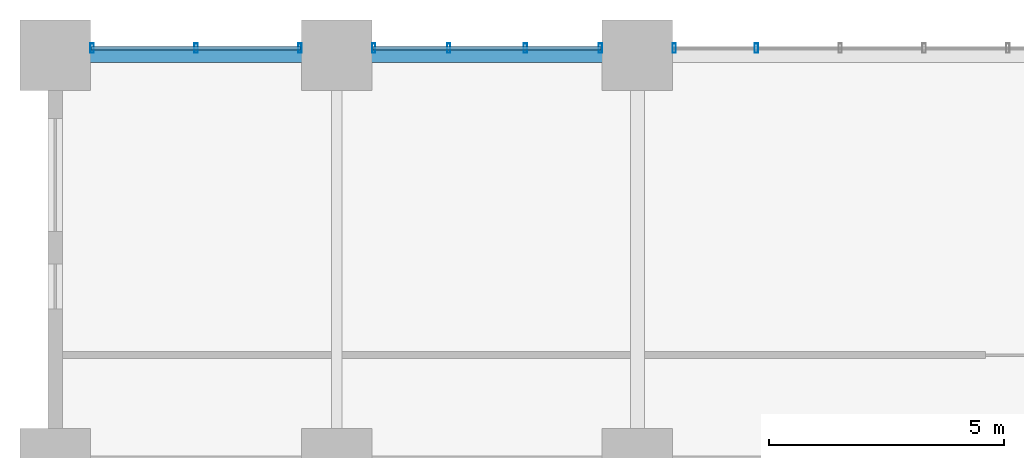
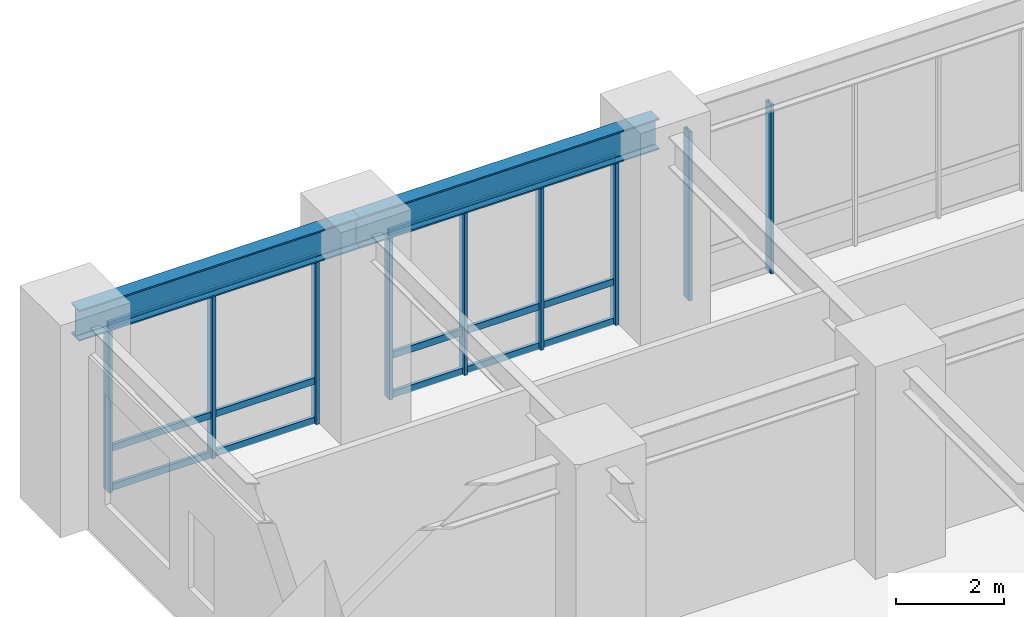
# One storey, part 2 of 22: 15 members, 2 beams, 3 elements without a shape of their own.
"""IFC4 building model written with IfcOpenShell, lengths in metres."""

from ifc_helpers import new_model, si_unit, direction, frame, origin, origin_2d, place, context, subcontext, project, spatial, hollow_rectangle, i_section, extrude, source, transform, mapped, material, layer, layer_set, material_profile, profile_set, type_object, element, aggregate, save


model = new_model("IFC4")

# Units and contexts
model_context = context("Model", 3, precision=1e-05, world=origin(), true_north=direction((0.0, 1.0)))
body_context = subcontext(model_context, "Body", "Model", "MODEL_VIEW")
ifc_project = project(units=[si_unit("LENGTHUNIT", "METRE"), si_unit("AREAUNIT", "SQUARE_METRE"), si_unit("VOLUMEUNIT", "CUBIC_METRE"), si_unit("PLANEANGLEUNIT", "RADIAN"), si_unit("MASSUNIT", "GRAM", prefix="KILO")], contexts=[model_context])

# Site, building, storey
site_placement = place(None, origin())
site = spatial("IfcSite", under=ifc_project, at=site_placement, CompositionType="ELEMENT")
building_placement = place(site_placement, origin())
building = spatial("IfcBuilding", under=site, at=building_placement, Name="Kaliganga Portal Commons", CompositionType="ELEMENT")
storey_placement = place(building_placement, frame((0.0, 0.0, 10.199951171875)))
storey = spatial("IfcBuildingStorey", under=building, at=storey_placement, Name="L02", CompositionType="ELEMENT", Elevation=10.199951171875)

# Beams
ifc_material_1 = material(Name="Structural steel S355J2", Category="steel")
ifc_material_profile_1 = material_profile(ifc_material_1, i_section(OverallWidth=0.300048828125, OverallDepth=0.699951171875, WebThickness=0.01708984375, FlangeThickness=0.031982421875, FilletRadius=0.027099609375, at=origin_2d()), Name="HE 700 B")
ifc_profile_set_1 = profile_set([ifc_material_profile_1], Name="Structural steel S355J2 wide-flange")
beam_type = type_object("IfcBeamType", Name="BM-GIRD-700", PredefinedType="USERDEFINED", material=ifc_profile_set_1)
shared_shape_1 = source(origin(), body_context, "Body", "SweptSolid", [
    extrude(i_section(OverallWidth=0.300048828125, OverallDepth=0.699951171875, WebThickness=0.01708984375, FlangeThickness=0.031982421875, FilletRadius=0.027099609375, at=origin_2d()), origin(), (0.0, 0.0, 1.0), 6.0),
])
beam_1_placement = place(storey_placement, frame((-12.0, 44.85009765625, 4.170166015625), z_axis=(1.0, 0.0, 0.0), x_axis=(0.0, 1.0, 0.0)))
element("IfcBeam", 1, at=beam_1_placement, inside=storey, type_object=beam_type, Name="BM PODW L02 Y44 1", ObjectType="GIRDER", PredefinedType="USERDEFINED", context=body_context, shape_type="MappedRepresentation", body=[
    mapped(shared_shape_1, transform((0.0, 0.0, 0.0), x_axis=(1.0, 0.0, 0.0), y_axis=(0.0, 1.0, 0.0), z_axis=(0.0, 0.0, 1.0), scale=1.0)),
])
shared_shape_2 = source(origin(), body_context, "Body", "SweptSolid", [
    extrude(i_section(OverallWidth=0.300048828125, OverallDepth=0.699951171875, WebThickness=0.01708984375, FlangeThickness=0.031982421875, FilletRadius=0.027099609375, at=origin_2d()), origin(), (0.0, 0.0, 1.0), 6.39990234375),
])
beam_2_placement = place(storey_placement, frame((-6.0, 44.85009765625, 4.170166015625), z_axis=(1.0, 0.0, 0.0), x_axis=(0.0, 1.0, 0.0)))
element("IfcBeam", 2, at=beam_2_placement, inside=storey, type_object=beam_type, Name="BM PODW L02 Y44 2", ObjectType="GIRDER", PredefinedType="USERDEFINED", context=body_context, shape_type="MappedRepresentation", body=[
    mapped(shared_shape_2, transform((0.0, 0.0, 0.0), x_axis=(1.0, 0.0, 0.0), y_axis=(0.0, 1.0, 0.0), z_axis=(0.0, 0.0, 1.0), scale=1.0)),
])

# Curtain wall, members
ifc_material_2 = material(Name="Anodized Aluminium and Laminated Low-E Glass", Category="aluminium")
ifc_layer = layer(ifc_material_2, 0.219970703125)
ifc_layer_set = layer_set([ifc_layer], Name="Anodized Aluminium and Laminated Low-E Glass")
curtain_wall_type = type_object("IfcCurtainWallType", Name="CW-SYS-01", PredefinedType="NOTDEFINED", material=ifc_layer_set)
curtain_wall_1_placement = place(storey_placement, origin())
curtain_wall_1 = element("IfcCurtainWall", 3, at=curtain_wall_1_placement, inside=storey, type_object=curtain_wall_type, Name="CW 01 L02 P1E02S9", PredefinedType="NOTDEFINED")
ifc_material_3 = material(Name="Dark Bronze Anodized Aluminium", Category="aluminium")
ifc_material_profile_2 = material_profile(ifc_material_3, hollow_rectangle(XDim=0.070068359375, YDim=0.14990234375, WallThickness=0.00341796875, at=origin_2d()), Name="ALU TRAN 70x150x3.5")
ifc_profile_set_2 = profile_set([ifc_material_profile_2], Name="Dark Bronze Anodized Aluminium")
member_type_1 = type_object("IfcMemberType", Name="CW-TRN-150", PredefinedType="USERDEFINED", material=ifc_profile_set_2)
shared_shape_3 = source(origin(), body_context, "Body", "SweptSolid", [
    extrude(hollow_rectangle(XDim=0.070068359375, YDim=0.14990234375, WallThickness=0.00341796875, at=origin_2d()), origin(), (0.0, 0.0, 1.0), 4.4580078125),
])
member_1_placement = place(storey_placement, frame((-6.77099609375, 45.0, 0.06005859375), z_axis=(-1.0, 0.0, 0.0), x_axis=(0.0, -1.0, 0.0)))
member_1 = element("IfcMember", 4, at=member_1_placement, type_object=member_type_1, Name="CW:01:L02:P1E02S9 Transom 1", ObjectType="TRANSOM", PredefinedType="USERDEFINED", context=body_context, shape_type="MappedRepresentation", body=[
    mapped(shared_shape_3, transform((0.0, 0.0, 0.0), x_axis=(1.0, 0.0, 0.0), y_axis=(0.0, 1.0, 0.0), z_axis=(0.0, 0.0, 1.0), scale=1.0)),
])
member_2_placement = place(storey_placement, frame((-6.77099609375, 45.0, 0.949951171875), z_axis=(-1.0, 0.0, 0.0), x_axis=(0.0, -1.0, 0.0)))
member_2 = element("IfcMember", 5, at=member_2_placement, type_object=member_type_1, Name="CW:01:L02:P1E02S9 Transom 2", ObjectType="TRANSOM", PredefinedType="USERDEFINED", context=body_context, shape_type="MappedRepresentation", body=[
    mapped(shared_shape_3, transform((0.0, 0.0, 0.0), x_axis=(1.0, 0.0, 0.0), y_axis=(0.0, 1.0, 0.0), z_axis=(0.0, 0.0, 1.0), scale=1.0)),
])
member_3_placement = place(storey_placement, frame((-6.77099609375, 45.0, 3.739990234375), z_axis=(-1.0, 0.0, 0.0), x_axis=(0.0, -1.0, 0.0)))
member_3 = element("IfcMember", 6, at=member_3_placement, type_object=member_type_1, Name="CW:01:L02:P1E02S9 Transom 3", ObjectType="TRANSOM", PredefinedType="USERDEFINED", context=body_context, shape_type="MappedRepresentation", body=[
    mapped(shared_shape_3, transform((0.0, 0.0, 0.0), x_axis=(1.0, 0.0, 0.0), y_axis=(0.0, 1.0, 0.0), z_axis=(0.0, 0.0, 1.0), scale=1.0)),
])

curtain_wall_2_placement = place(storey_placement, origin())
curtain_wall_2 = element("IfcCurtainWall", 7, at=curtain_wall_2_placement, inside=storey, type_object=curtain_wall_type, Name="CW 01 L02 P1E02S8", PredefinedType="NOTDEFINED")
shared_shape_4 = source(origin(), body_context, "Body", "SweptSolid", [
    extrude(hollow_rectangle(XDim=0.070068359375, YDim=0.14990234375, WallThickness=0.00341796875, at=origin_2d()), origin(), (0.0, 0.0, 1.0), 4.85791015625),
])
member_4_placement = place(storey_placement, frame((-0.37109375, 45.0, 0.06005859375), z_axis=(-1.0, 0.0, 0.0), x_axis=(0.0, -1.0, 0.0)))
member_4 = element("IfcMember", 8, at=member_4_placement, type_object=member_type_1, Name="CW:01:L02:P1E02S8 Transom 1", ObjectType="TRANSOM", PredefinedType="USERDEFINED", context=body_context, shape_type="MappedRepresentation", body=[
    mapped(shared_shape_4, transform((0.0, 0.0, 0.0), x_axis=(1.0, 0.0, 0.0), y_axis=(0.0, 1.0, 0.0), z_axis=(0.0, 0.0, 1.0), scale=1.0)),
])
member_5_placement = place(storey_placement, frame((-0.37109375, 45.0, 0.949951171875), z_axis=(-1.0, 0.0, 0.0), x_axis=(0.0, -1.0, 0.0)))
member_5 = element("IfcMember", 9, at=member_5_placement, type_object=member_type_1, Name="CW:01:L02:P1E02S8 Transom 2", ObjectType="TRANSOM", PredefinedType="USERDEFINED", context=body_context, shape_type="MappedRepresentation", body=[
    mapped(shared_shape_4, transform((0.0, 0.0, 0.0), x_axis=(1.0, 0.0, 0.0), y_axis=(0.0, 1.0, 0.0), z_axis=(0.0, 0.0, 1.0), scale=1.0)),
])
member_6_placement = place(storey_placement, frame((-0.37109375, 45.0, 3.739990234375), z_axis=(-1.0, 0.0, 0.0), x_axis=(0.0, -1.0, 0.0)))
member_6 = element("IfcMember", 10, at=member_6_placement, type_object=member_type_1, Name="CW:01:L02:P1E02S8 Transom 3", ObjectType="TRANSOM", PredefinedType="USERDEFINED", context=body_context, shape_type="MappedRepresentation", body=[
    mapped(shared_shape_4, transform((0.0, 0.0, 0.0), x_axis=(1.0, 0.0, 0.0), y_axis=(0.0, 1.0, 0.0), z_axis=(0.0, 0.0, 1.0), scale=1.0)),
])

curtain_wall_3_placement = place(storey_placement, origin())
curtain_wall_3 = element("IfcCurtainWall", 11, at=curtain_wall_3_placement, inside=storey, type_object=curtain_wall_type, Name="CW 01 L02 P1E02S7", PredefinedType="NOTDEFINED")
ifc_material_profile_3 = material_profile(ifc_material_3, hollow_rectangle(XDim=0.070068359375, YDim=0.199951171875, WallThickness=0.00390625, at=origin_2d()), Name="ALU MULL 70x200x4")
ifc_profile_set_3 = profile_set([ifc_material_profile_3], Name="Dark Bronze Anodized Aluminium")
member_type_2 = type_object("IfcMemberType", Name="CW-MUL-220", PredefinedType="MULLION", material=ifc_profile_set_3)
shared_shape_5 = source(origin(), body_context, "Body", "SweptSolid", [
    extrude(hollow_rectangle(XDim=0.070068359375, YDim=0.199951171875, WallThickness=0.00390625, at=origin_2d()), origin(), (0.0, 0.0, 1.0), 3.820068359375),
])
member_7_placement = place(storey_placement, frame((2.936279296875, 45.0, 0.0), z_axis=(0.0, 0.0, 1.0), x_axis=(-1.0, 0.0, 0.0)))
member_7 = element("IfcMember", 12, at=member_7_placement, type_object=member_type_2, Name="CW:01:L02:P1E02S7 Mullion 06", PredefinedType="MULLION", context=body_context, shape_type="MappedRepresentation", body=[
    mapped(shared_shape_5, transform((0.0, 0.0, 0.0), x_axis=(1.0, 0.0, 0.0), y_axis=(0.0, 1.0, 0.0), z_axis=(0.0, 0.0, 1.0), scale=1.0)),
])
member_8_placement = place(storey_placement, frame((1.18603515625, 45.0, 0.0), z_axis=(0.0, 0.0, 1.0), x_axis=(-1.0, 0.0, 0.0)))
member_8 = element("IfcMember", 13, at=member_8_placement, type_object=member_type_2, Name="CW:01:L02:P1E02S7 Mullion 07", PredefinedType="MULLION", context=body_context, shape_type="MappedRepresentation", body=[
    mapped(shared_shape_5, transform((0.0, 0.0, 0.0), x_axis=(1.0, 0.0, 0.0), y_axis=(0.0, 1.0, 0.0), z_axis=(0.0, 0.0, 1.0), scale=1.0)),
])
aggregate(curtain_wall_3, [member_7, member_8])

# Member
member_9_placement = place(storey_placement, frame((-0.385986328125, 45.0, 0.0), z_axis=(0.0, 0.0, 1.0), x_axis=(-1.0, 0.0, 0.0)))
member_9 = element("IfcMember", 14, at=member_9_placement, type_object=member_type_2, Name="CW:01:L02:P1E02S8 Mullion 00", PredefinedType="MULLION", context=body_context, shape_type="MappedRepresentation", body=[
    mapped(shared_shape_5, transform((0.0, 0.0, 0.0), x_axis=(1.0, 0.0, 0.0), y_axis=(0.0, 1.0, 0.0), z_axis=(0.0, 0.0, 1.0), scale=1.0)),
])

member_10_placement = place(storey_placement, frame((-1.983642578125, 45.0, 0.0), z_axis=(0.0, 0.0, 1.0), x_axis=(-1.0, 0.0, 0.0)))
member_10 = element("IfcMember", 15, at=member_10_placement, type_object=member_type_2, Name="CW:01:L02:P1E02S8 Mullion 01", PredefinedType="MULLION", context=body_context, shape_type="MappedRepresentation", body=[
    mapped(shared_shape_5, transform((0.0, 0.0, 0.0), x_axis=(1.0, 0.0, 0.0), y_axis=(0.0, 1.0, 0.0), z_axis=(0.0, 0.0, 1.0), scale=1.0)),
])

member_11_placement = place(storey_placement, frame((-3.6162109375, 45.0, 0.0), z_axis=(0.0, 0.0, 1.0), x_axis=(-1.0, 0.0, 0.0)))
member_11 = element("IfcMember", 16, at=member_11_placement, type_object=member_type_2, Name="CW:01:L02:P1E02S8 Mullion 02", PredefinedType="MULLION", context=body_context, shape_type="MappedRepresentation", body=[
    mapped(shared_shape_5, transform((0.0, 0.0, 0.0), x_axis=(1.0, 0.0, 0.0), y_axis=(0.0, 1.0, 0.0), z_axis=(0.0, 0.0, 1.0), scale=1.0)),
])

member_12_placement = place(storey_placement, frame((-5.214111328125, 45.0, 0.0), z_axis=(0.0, 0.0, 1.0), x_axis=(-1.0, 0.0, 0.0)))
member_12 = element("IfcMember", 17, at=member_12_placement, type_object=member_type_2, Name="CW:01:L02:P1E02S8 Mullion 03", PredefinedType="MULLION", context=body_context, shape_type="MappedRepresentation", body=[
    mapped(shared_shape_5, transform((0.0, 0.0, 0.0), x_axis=(1.0, 0.0, 0.0), y_axis=(0.0, 1.0, 0.0), z_axis=(0.0, 0.0, 1.0), scale=1.0)),
])

aggregate(curtain_wall_2, [member_9, member_10, member_11, member_12, member_4, member_5, member_6])

member_13_placement = place(storey_placement, frame((-6.785888671875, 45.0, 0.0), z_axis=(0.0, 0.0, 1.0), x_axis=(-1.0, 0.0, 0.0)))
member_13 = element("IfcMember", 18, at=member_13_placement, type_object=member_type_2, Name="CW:01:L02:P1E02S9 Mullion 00", PredefinedType="MULLION", context=body_context, shape_type="MappedRepresentation", body=[
    mapped(shared_shape_5, transform((0.0, 0.0, 0.0), x_axis=(1.0, 0.0, 0.0), y_axis=(0.0, 1.0, 0.0), z_axis=(0.0, 0.0, 1.0), scale=1.0)),
])

member_14_placement = place(storey_placement, frame((-9.0, 45.0, 0.0), z_axis=(0.0, 0.0, 1.0), x_axis=(-1.0, 0.0, 0.0)))
member_14 = element("IfcMember", 19, at=member_14_placement, type_object=member_type_2, Name="CW:01:L02:P1E02S9 Mullion 01", PredefinedType="MULLION", context=body_context, shape_type="MappedRepresentation", body=[
    mapped(shared_shape_5, transform((0.0, 0.0, 0.0), x_axis=(1.0, 0.0, 0.0), y_axis=(0.0, 1.0, 0.0), z_axis=(0.0, 0.0, 1.0), scale=1.0)),
])

member_15_placement = place(storey_placement, frame((-11.214111328125, 45.0, 0.0), z_axis=(0.0, 0.0, 1.0), x_axis=(-1.0, 0.0, 0.0)))
member_15 = element("IfcMember", 20, at=member_15_placement, type_object=member_type_2, Name="CW:01:L02:P1E02S9 Mullion 02", PredefinedType="MULLION", context=body_context, shape_type="MappedRepresentation", body=[
    mapped(shared_shape_5, transform((0.0, 0.0, 0.0), x_axis=(1.0, 0.0, 0.0), y_axis=(0.0, 1.0, 0.0), z_axis=(0.0, 0.0, 1.0), scale=1.0)),
])

aggregate(curtain_wall_1, [member_13, member_14, member_15, member_1, member_2, member_3])

save(model, "model.ifc")
